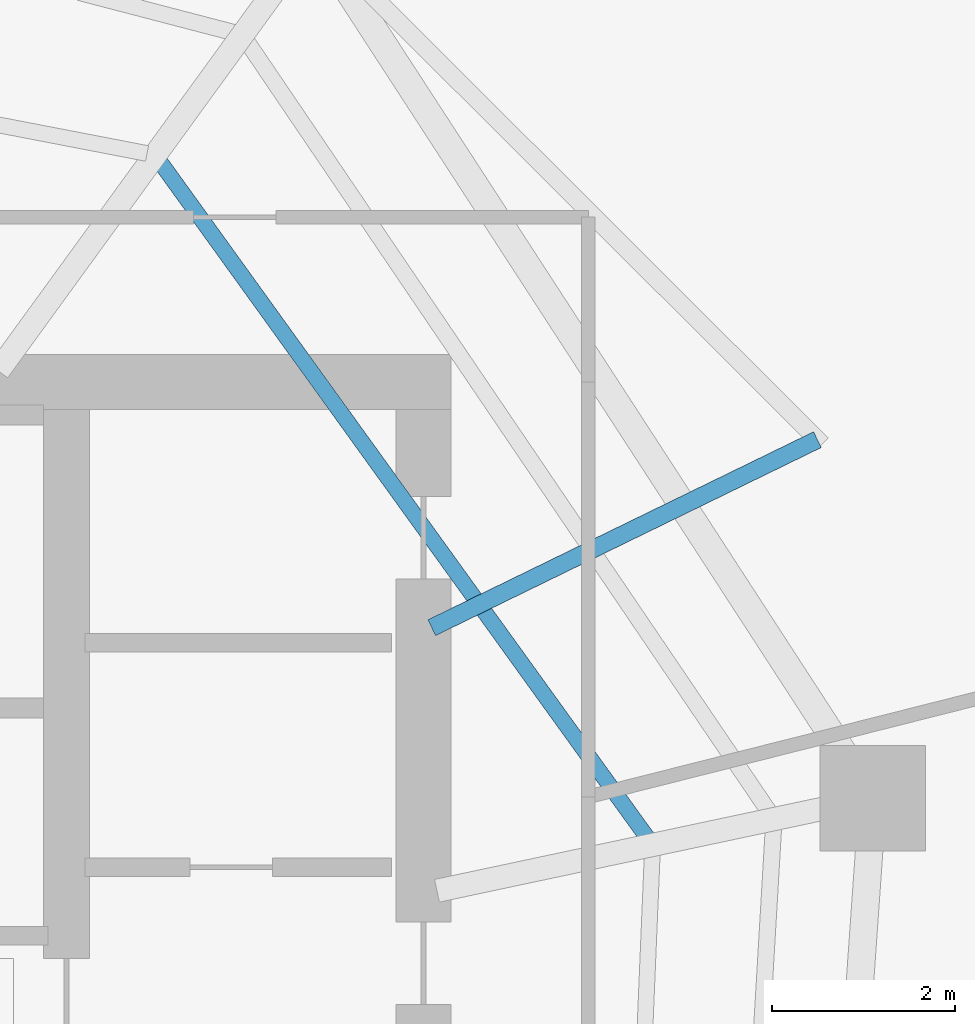
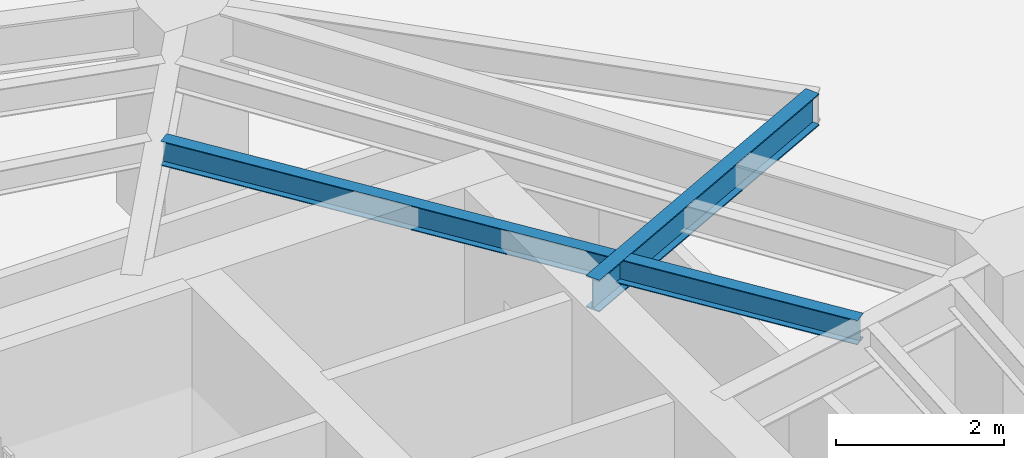
# One storey, part 14 of 30: 2 beams.
"""IFC4 building model written with IfcOpenShell, lengths in metres."""

from ifc_helpers import new_model, si_unit, direction, frame, origin, origin_2d, place, context, subcontext, project, spatial, i_section, extrude, material, material_profile, profile_set, type_object, element, save


model = new_model("IFC4")

# Units and contexts
model_context = context("Model", 3, precision=1e-05, world=origin(), true_north=direction((0.0, 1.0)))
body_context = subcontext(model_context, "Body", "Model", "MODEL_VIEW")
ifc_project = project(units=[si_unit("LENGTHUNIT", "METRE"), si_unit("AREAUNIT", "SQUARE_METRE"), si_unit("VOLUMEUNIT", "CUBIC_METRE"), si_unit("PLANEANGLEUNIT", "RADIAN"), si_unit("MASSUNIT", "GRAM", prefix="KILO")], contexts=[model_context])

# Site, building, storey
site_placement = place(None, origin())
site = spatial("IfcSite", under=ifc_project, at=site_placement, CompositionType="ELEMENT")
building_placement = place(site_placement, origin())
building = spatial("IfcBuilding", under=site, at=building_placement, Name="Qarnah Convention Tower", CompositionType="ELEMENT")
storey_placement = place(building_placement, frame((0.0, 0.0, 79.800048828125)))
storey = spatial("IfcBuildingStorey", under=building, at=storey_placement, Name="L20", CompositionType="ELEMENT", Elevation=79.800048828125)

# Beams
ifc_material = material(Name="Structural steel S355JR", Category="steel")
ifc_material_profile_1 = material_profile(ifc_material, i_section(OverallWidth=0.19189453125, OverallDepth=0.464111328125, WebThickness=0.010986328125, FlangeThickness=0.01806640625, at=origin_2d()), Name="W460X89")
ifc_profile_set_1 = profile_set([ifc_material_profile_1], Name="Structural steel S355JR")
beam_type_1 = type_object("IfcBeamType", Name="BM-CANT-W460A", PredefinedType="BEAM", material=ifc_profile_set_1)
beam_1_placement = place(storey_placement, frame((47.68994140625, 31.51611328125, 2.93798828125), z_axis=(0.898872044655, 0.438211190339, 0.0), x_axis=(-0.438211190339, 0.898872044655, 0.0)))
element("IfcBeam", 1, at=beam_1_placement, inside=storey, type_object=beam_type_1, Name="L20 beam BM-L20-CNT-01-2", PredefinedType="BEAM", context=body_context, shape_type="SweptSolid", body=[
    extrude(i_section(OverallWidth=0.19189453125, OverallDepth=0.464111328125, WebThickness=0.010986328125, FlangeThickness=0.01806640625, at=origin_2d()), origin(), (0.0, 0.0, 1.0), 4.687255859375),
])
ifc_material_profile_2 = material_profile(ifc_material, i_section(OverallWidth=0.172119140625, OverallDepth=0.35595703125, WebThickness=0.007080078125, FlangeThickness=0.011962890625, at=origin_2d()), Name="W360X51")
ifc_profile_set_2 = profile_set([ifc_material_profile_2], Name="Structural steel S355JR")
beam_type_2 = type_object("IfcBeamType", Name="BM-JST-W360", PredefinedType="JOIST", material=ifc_profile_set_2)
beam_2_placement = place(storey_placement, frame((50.050048828125, 29.216064453125, 2.991943359375), z_axis=(-0.584910233528, 0.81109803274, 0.0), x_axis=(-0.81109803274, -0.584910233528, 0.0)))
element("IfcBeam", 2, at=beam_2_placement, inside=storey, type_object=beam_type_2, Name="L20 joist BM-L20-IJST-01", PredefinedType="JOIST", context=body_context, shape_type="SweptSolid", body=[
    extrude(i_section(OverallWidth=0.172119140625, OverallDepth=0.35595703125, WebThickness=0.007080078125, FlangeThickness=0.011962890625, at=origin_2d()), origin(), (0.0, 0.0, 1.0), 9.111083984375),
])

save(model, "model.ifc")
